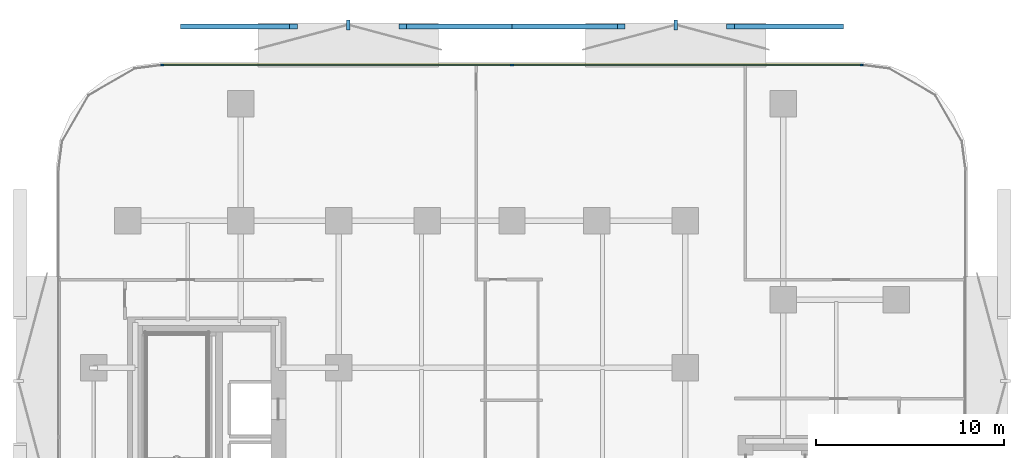
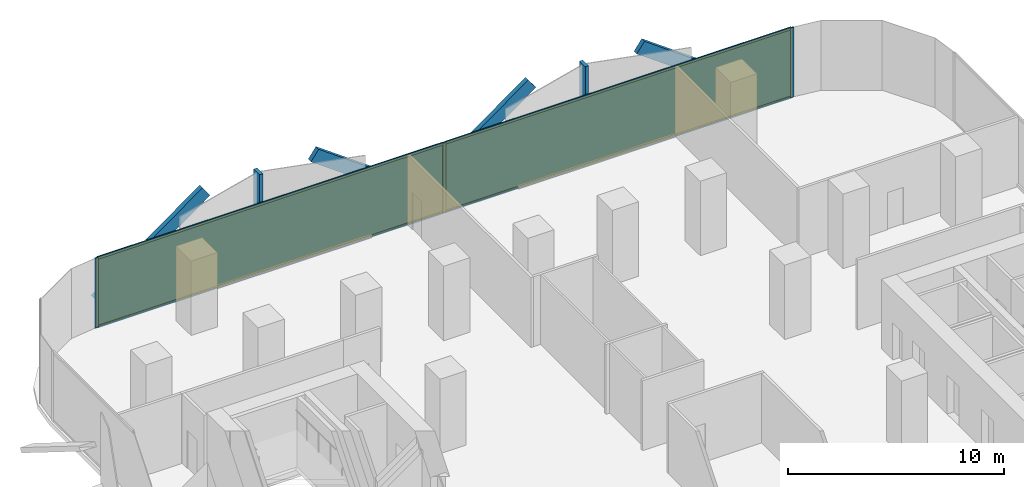
# One storey, part 9 of 14: 13 members, 2 plates, 1 curtain wall.
"""IFC4 building model written with IfcOpenShell, lengths in metres."""

from ifc_helpers import new_model, si_unit, direction, frame, frame_2d, origin, origin_2d, place, context, subcontext, project, spatial, rectangle, extrude, material, layer, layer_set, material_profile, profile_set, type_object, element, aggregate, save


model = new_model("IFC4")

# Units and contexts
model_context = context("Model", 3, precision=1e-05, world=origin(), true_north=direction((0.0, 1.0)))
body_context = subcontext(model_context, "Body", "Model", "MODEL_VIEW")
ifc_project = project(units=[si_unit("LENGTHUNIT", "METRE"), si_unit("AREAUNIT", "SQUARE_METRE"), si_unit("VOLUMEUNIT", "CUBIC_METRE"), si_unit("PLANEANGLEUNIT", "RADIAN"), si_unit("MASSUNIT", "GRAM", prefix="KILO")], contexts=[model_context])

# Member
ifc_material_1 = material(Name="Anodised Bronze Aluminium 6063-T6", Category="aluminium")
ifc_material_profile_1 = material_profile(ifc_material_1, rectangle(XDim=0.260009765625, YDim=0.699951171875, at=origin_2d()))
ifc_profile_set_1 = profile_set([ifc_material_profile_1], Name="Anodised Bronze Aluminium 6063-T6")
member_type_1 = type_object("IfcMemberType", Name="Bronze Diamond Solar-Screen Lattice Rib BDL-700", PredefinedType="MULLION", material=ifc_profile_set_1)
site_placement = place(None, origin())
building_placement = place(site_placement, origin())
storey_placement = place(building_placement, frame((0.0, 0.0, 63.800048828125)))
member_1_placement = place(storey_placement, frame((-17.390869140625, 28.89990234375, -0.130126953125), z_axis=(0.809778962886, 0.0, 0.586735060541), x_axis=(0.0, 1.0, 0.0)))
member_1 = element("IfcMember", 1, at=member_1_placement, type_object=member_type_1, Name="L15 Bronze Diamond Solar Screen Lattice Rib 77A", PredefinedType="MULLION", context=body_context, shape_type="SweptSolid", body=[
    extrude(rectangle(XDim=0.260009765625, YDim=0.699951171875, at=origin_2d()), origin(), (0.0, 0.0, 1.0), 7.15869140625),
])

member_2_placement = place(storey_placement, frame((0.0, 28.89990234375, -0.130126953125), z_axis=(-0.809778962886, 0.0, 0.586735060541), x_axis=(0.0, -1.0, 0.0)))
member_2 = element("IfcMember", 2, at=member_2_placement, type_object=member_type_1, Name="L15 Bronze Diamond Solar Screen Lattice Rib 77B", PredefinedType="MULLION", context=body_context, shape_type="SweptSolid", body=[
    extrude(rectangle(XDim=0.260009765625, YDim=0.699951171875, at=origin_2d()), origin(), (0.0, 0.0, 1.0), 7.15869140625),
])

member_3_placement = place(storey_placement, frame((0.0, 28.89990234375, -0.130126953125), z_axis=(0.809778962886, 0.0, 0.586735060541), x_axis=(0.0, 1.0, 0.0)))
member_3 = element("IfcMember", 3, at=member_3_placement, type_object=member_type_1, Name="L15 Bronze Diamond Solar Screen Lattice Rib 78A", PredefinedType="MULLION", context=body_context, shape_type="SweptSolid", body=[
    extrude(rectangle(XDim=0.260009765625, YDim=0.699951171875, at=origin_2d()), origin(), (0.0, 0.0, 1.0), 7.15869140625),
])

member_4_placement = place(storey_placement, frame((17.390869140625, 28.89990234375, -0.130126953125), z_axis=(-0.809778962886, 0.0, 0.586735060541), x_axis=(0.0, -1.0, 0.0)))
member_4 = element("IfcMember", 4, at=member_4_placement, type_object=member_type_1, Name="L15 Bronze Diamond Solar Screen Lattice Rib 78B", PredefinedType="MULLION", context=body_context, shape_type="SweptSolid", body=[
    extrude(rectangle(XDim=0.260009765625, YDim=0.699951171875, at=origin_2d()), origin(), (0.0, 0.0, 1.0), 7.15869140625),
])

ifc_material_2 = material(Name="Anodised Bronze Aluminium 6063-T6", Category="aluminium")
ifc_material_profile_2 = material_profile(ifc_material_2, rectangle(XDim=0.179931640625, YDim=0.5400390625, at=origin_2d()))
ifc_profile_set_2 = profile_set([ifc_material_profile_2], Name="Anodised Bronze Aluminium 6063-T6")
member_type_2 = type_object("IfcMemberType", Name="Bronze Solar-Screen Vertical Fold Fin BSF-540", PredefinedType="MULLION", material=ifc_profile_set_2)
member_5_placement = place(storey_placement, frame((-8.6953125, 28.97998046875, -0.130126953125), z_axis=(0.0, 0.0, 1.0), x_axis=(1.0, 0.0, 0.0)))
member_5 = element("IfcMember", 5, at=member_5_placement, type_object=member_type_2, Name="L15 Bronze Solar Screen Vertical Fin 77", PredefinedType="MULLION", context=body_context, shape_type="SweptSolid", body=[
    extrude(rectangle(XDim=0.179931640625, YDim=0.5400390625, at=origin_2d()), origin(), (0.0, 0.0, 1.0), 4.2001953125),
])

member_6_placement = place(storey_placement, frame((8.6953125, 28.97998046875, -0.130126953125), z_axis=(0.0, 0.0, 1.0), x_axis=(1.0, 0.0, 0.0)))
member_6 = element("IfcMember", 6, at=member_6_placement, type_object=member_type_2, Name="L15 Bronze Solar Screen Vertical Fin 78", PredefinedType="MULLION", context=body_context, shape_type="SweptSolid", body=[
    extrude(rectangle(XDim=0.179931640625, YDim=0.5400390625, at=origin_2d()), origin(), (0.0, 0.0, 1.0), 4.2001953125),
])

ifc_material_3 = material(Name="Anodised Bronze Aluminium 6063-T6", Category="aluminium")
ifc_material_profile_3 = material_profile(ifc_material_3, rectangle(XDim=0.06494140625, YDim=0.179931640625, at=origin_2d()))
ifc_profile_set_3 = profile_set([ifc_material_profile_3], Name="Anodised Bronze Aluminium 6063-T6")
member_type_3 = type_object("IfcMemberType", Name="CW-Z1 Mullion 65x180", PredefinedType="MULLION", material=ifc_profile_set_3)
member_7_placement = place(storey_placement, frame((-18.558349609375, 26.860107421875, 0.0), z_axis=(0.0, 0.0, 1.0), x_axis=(0.0, 1.0, 0.0)))
member_7 = element("IfcMember", 7, at=member_7_placement, type_object=member_type_3, Name="CW-Z1 mullion 1", PredefinedType="MULLION", context=body_context, shape_type="SweptSolid", body=[
    extrude(rectangle(XDim=0.06494140625, YDim=0.179931640625, at=origin_2d()), origin(), (0.0, 0.0, 1.0), 3.93994140625),
])

member_8_placement = place(storey_placement, frame((0.0, 26.860107421875, 0.0), z_axis=(0.0, 0.0, 1.0), x_axis=(0.0, 1.0, 0.0)))
member_8 = element("IfcMember", 8, at=member_8_placement, type_object=member_type_3, Name="CW-Z1 mullion 2", PredefinedType="MULLION", context=body_context, shape_type="SweptSolid", body=[
    extrude(rectangle(XDim=0.06494140625, YDim=0.179931640625, at=origin_2d()), origin(), (0.0, 0.0, 1.0), 3.93994140625),
])

member_9_placement = place(storey_placement, frame((18.558349609375, 26.860107421875, 0.0), z_axis=(0.0, 0.0, 1.0), x_axis=(0.0, 1.0, 0.0)))
member_9 = element("IfcMember", 9, at=member_9_placement, type_object=member_type_3, Name="CW-Z1 mullion 3", PredefinedType="MULLION", context=body_context, shape_type="SweptSolid", body=[
    extrude(rectangle(XDim=0.06494140625, YDim=0.179931640625, at=origin_2d()), origin(), (0.0, 0.0, 1.0), 3.93994140625),
])

ifc_material_4 = material(Name="Anodised Bronze Aluminium 6063-T6", Category="aluminium")
ifc_material_profile_4 = material_profile(ifc_material_4, rectangle(XDim=0.06494140625, YDim=0.139892578125, at=origin_2d()))
ifc_profile_set_4 = profile_set([ifc_material_profile_4], Name="Anodised Bronze Aluminium 6063-T6")
member_type_4 = type_object("IfcMemberType", Name="CW-Z1 Transom 65x140", PredefinedType="USERDEFINED", material=ifc_profile_set_4)
member_10_placement = place(storey_placement, frame((-18.52587890625, 26.860107421875, 0.032470703125), z_axis=(1.0, 0.0, 0.0), x_axis=(0.0, 1.0, 0.0)))
member_10 = element("IfcMember", 10, at=member_10_placement, type_object=member_type_4, Name="CW-Z1 transom 1.1", ObjectType="TRANSOM", PredefinedType="USERDEFINED", context=body_context, shape_type="SweptSolid", body=[
    extrude(rectangle(XDim=0.06494140625, YDim=0.139892578125, at=origin_2d()), origin(), (0.0, 0.0, 1.0), 18.493408203125),
])

member_11_placement = place(storey_placement, frame((-18.52587890625, 26.860107421875, 3.907470703125), z_axis=(1.0, 0.0, 0.0), x_axis=(0.0, 1.0, 0.0)))
member_11 = element("IfcMember", 11, at=member_11_placement, type_object=member_type_4, Name="CW-Z1 transom 1.2", ObjectType="TRANSOM", PredefinedType="USERDEFINED", context=body_context, shape_type="SweptSolid", body=[
    extrude(rectangle(XDim=0.06494140625, YDim=0.139892578125, at=origin_2d()), origin(), (0.0, 0.0, 1.0), 18.493408203125),
])

member_12_placement = place(storey_placement, frame((0.032470703125, 26.860107421875, 0.032470703125), z_axis=(1.0, 0.0, 0.0), x_axis=(0.0, 1.0, 0.0)))
member_12 = element("IfcMember", 12, at=member_12_placement, type_object=member_type_4, Name="CW-Z1 transom 2.1", ObjectType="TRANSOM", PredefinedType="USERDEFINED", context=body_context, shape_type="SweptSolid", body=[
    extrude(rectangle(XDim=0.06494140625, YDim=0.139892578125, at=origin_2d()), origin(), (0.0, 0.0, 1.0), 18.493408203125),
])

member_13_placement = place(storey_placement, frame((0.032470703125, 26.860107421875, 3.907470703125), z_axis=(1.0, 0.0, 0.0), x_axis=(0.0, 1.0, 0.0)))
member_13 = element("IfcMember", 13, at=member_13_placement, type_object=member_type_4, Name="CW-Z1 transom 2.2", ObjectType="TRANSOM", PredefinedType="USERDEFINED", context=body_context, shape_type="SweptSolid", body=[
    extrude(rectangle(XDim=0.06494140625, YDim=0.139892578125, at=origin_2d()), origin(), (0.0, 0.0, 1.0), 18.493408203125),
])

# Plate
ifc_material_5 = material(Name="Low-E Solar Control Laminated Glass", Category="glass")
ifc_layer_1 = layer(ifc_material_5, 0.028076171875, Name="Low-E Solar Control Laminated Glass")
ifc_layer_set_1 = layer_set([ifc_layer_1], Name="Low-E Solar Control Laminated Glass")
plate_type = type_object("IfcPlateType", Name="CW-Z1 Low-E Double Glazed Panel 28mm", PredefinedType="CURTAIN_PANEL", material=ifc_layer_set_1)
plate_1_placement = place(storey_placement, frame((-9.279052734375, 26.860107421875, 0.06494140625), z_axis=(0.0, 0.0, 1.0), x_axis=(1.0, 0.0, 0.0)))
plate_1 = element("IfcPlate", 14, at=plate_1_placement, type_object=plate_type, Name="CW-Z1 panel 1.1", PredefinedType="CURTAIN_PANEL", context=body_context, shape_type="SweptSolid", body=[
    extrude(rectangle(XDim=18.493408203125, YDim=0.028076171875, at=origin_2d()), origin(), (0.0, 0.0, 1.0), 3.81005859375),
])

plate_2_placement = place(storey_placement, frame((9.279052734375, 26.860107421875, 0.06494140625), z_axis=(0.0, 0.0, 1.0), x_axis=(1.0, 0.0, 0.0)))
plate_2 = element("IfcPlate", 15, at=plate_2_placement, type_object=plate_type, Name="CW-Z1 panel 2.1", PredefinedType="CURTAIN_PANEL", context=body_context, shape_type="SweptSolid", body=[
    extrude(rectangle(XDim=18.493408203125, YDim=0.028076171875, at=origin_2d()), origin(), (0.0, 0.0, 1.0), 3.81005859375),
])

# Site, building, storey
site = spatial("IfcSite", under=ifc_project, at=site_placement, CompositionType="ELEMENT")
building = spatial("IfcBuilding", under=site, at=building_placement, Name="Khairoan Windgate Tower", CompositionType="ELEMENT")
storey = spatial("IfcBuildingStorey", under=building, at=storey_placement, Name="L15", CompositionType="ELEMENT", Elevation=63.800048828125)

# Curtain wall
ifc_material_6 = material(Name="Anodised Bronze Aluminium 6063-T6", Category="aluminium")
ifc_layer_2 = layer(ifc_material_6, 0.179931640625, Name="Anodised Bronze Aluminium 6063-T6")
ifc_layer_set_2 = layer_set([ifc_layer_2], Name="Anodised Bronze Aluminium 6063-T6")
curtain_wall_type = type_object("IfcCurtainWallType", Name="Low-Rise Office Unitised Curtain Wall CW-Z1", PredefinedType="NOTDEFINED", material=ifc_layer_set_2)
curtain_wall_placement = place(storey_placement, frame((-18.5908203125, 26.860107421875, 0.0), z_axis=(0.0, 0.0, 1.0), x_axis=(1.0, 0.0, 0.0)))
curtain_wall = element("IfcCurtainWall", 16, at=curtain_wall_placement, inside=storey, type_object=curtain_wall_type, Name="L15 Unitised Curtain Wall 11", PredefinedType="NOTDEFINED", context=body_context, shape_type="SweptSolid", body=[
    extrude(rectangle(XDim=37.181640625, YDim=0.010009765625, at=frame_2d((18.5908203125, 0.0))), origin(), (0.0, 0.0, 1.0), 3.93994140625),
])

aggregate(curtain_wall, [member_7, member_8, member_9, member_10, member_11, plate_1, member_12, member_13, plate_2, member_1, member_2, member_5, member_3, member_4, member_6])

save(model, "model.ifc")
